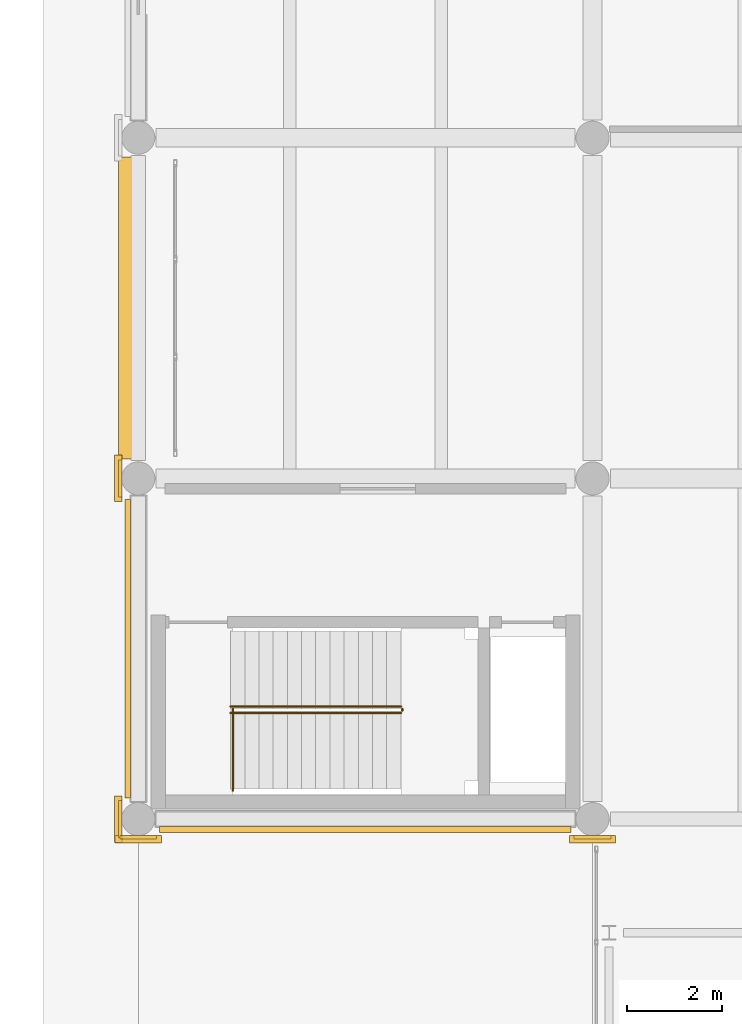
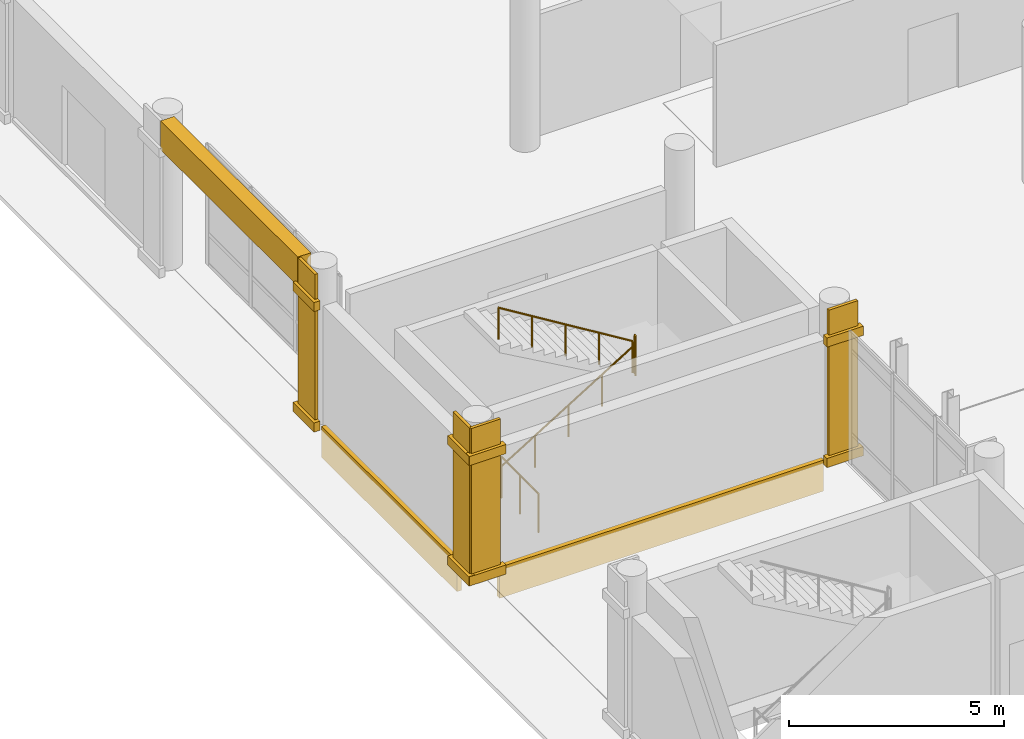
# One storey, part 173 of 196: 15 coverings, 4 railings.
"""IFC4 building model written with IfcOpenShell, lengths in metres."""

from ifc_helpers import new_model, si_unit, direction, frame, origin, origin_2d, place, context, subcontext, project, spatial, rectangle, circle, extrude, material, layer, layer_set, type_object, element, save


model = new_model("IFC4")

# Units and contexts
model_context = context("Model", 3, precision=1e-05, world=origin(), true_north=direction((0.0, 1.0)))
body_context = subcontext(model_context, "Body", "Model", "MODEL_VIEW")
ifc_project = project(units=[si_unit("LENGTHUNIT", "METRE"), si_unit("AREAUNIT", "SQUARE_METRE"), si_unit("VOLUMEUNIT", "CUBIC_METRE"), si_unit("PLANEANGLEUNIT", "RADIAN"), si_unit("MASSUNIT", "GRAM", prefix="KILO")], contexts=[model_context])

# Site, building, storey
site_placement = place(None, origin())
site = spatial("IfcSite", under=ifc_project, at=site_placement, CompositionType="ELEMENT")
building_placement = place(site_placement, origin())
building = spatial("IfcBuilding", under=site, at=building_placement, Name="Asteropetra Specialist Clinic", CompositionType="ELEMENT")
storey_placement = place(building_placement, origin())
storey = spatial("IfcBuildingStorey", under=building, at=storey_placement, Name="L00", CompositionType="ELEMENT", Elevation=0.0)

# Coverings
ifc_material_1 = material(Name="Pentelic marble ashlar", Category="masonry")
ifc_layer = layer(ifc_material_1, 0.159912109375)
ifc_layer_set = layer_set([ifc_layer], Name="Pentelic marble ashlar")
covering_type = type_object("IfcCoveringType", Name="CRN-ENTAB-600", PredefinedType="MOLDING", material=ifc_layer_set)
covering_1_placement = place(storey_placement, frame((-0.239990234375, 44.39990234375, 3.58984375), z_axis=(0.0, 0.0, 1.0), x_axis=(1.0, 0.0, 0.0)))
element("IfcCovering", 1, at=covering_1_placement, inside=storey, type_object=covering_type, Name="Stoa Classical Entablature SE-0031", PredefinedType="MOLDING", context=body_context, shape_type="SweptSolid", body=[
    extrude(rectangle(XDim=0.360107421875, YDim=6.3798828125, at=origin_2d()), origin(), (0.0, 0.0, 1.0), 0.820068359375),
])
covering_2_placement = place(storey_placement, frame((0.0, 33.218017578125, 0.02001953125), z_axis=(0.0, 0.0, 1.0), x_axis=(1.0, 0.0, 0.0)))
element("IfcCovering", 2, at=covering_2_placement, inside=storey, type_object=covering_type, Name="Neoclassical Pilaster Facing CM-0745", PredefinedType="MOLDING", context=body_context, shape_type="SweptSolid", body=[
    extrude(rectangle(XDim=0.780029296875, YDim=0.080078125, at=origin_2d()), origin(), (0.0, 0.0, 1.0), 4.3798828125),
])
for number, where, z_axis, x_axis, name in (
    (3, (0.0, 33.177978515625, 0.009765625), (0.0, 0.0, 1.0), (1.0, 0.0, 0.0), "Doric Base CC-0746"),
    (4, (0.0, 33.177978515625, 3.43017578125), (0.0, 0.0, 1.0), (1.0, 0.0, 0.0), "Doric Capital CC-0747"),
):
    element("IfcCovering", number, at=place(storey_placement, frame(where, z_axis=z_axis, x_axis=x_axis)), inside=storey, type_object=covering_type, Name=name, PredefinedType="MOLDING", context=body_context, shape_type="SweptSolid", body=[
        extrude(rectangle(XDim=0.97998046875, YDim=0.159912109375, at=origin_2d()), origin(), (0.0, 0.0, 1.0), 0.260009765625),
    ])
covering_3_placement = place(storey_placement, frame((-0.382080078125, 33.60009765625, 0.02001953125), z_axis=(0.0, 0.0, 1.0), x_axis=(1.0, 0.0, 0.0)))
element("IfcCovering", 5, at=covering_3_placement, inside=storey, type_object=covering_type, Name="Neoclassical Pilaster Facing CM-0748", PredefinedType="MOLDING", context=body_context, shape_type="SweptSolid", body=[
    extrude(rectangle(XDim=0.080078125, YDim=0.780029296875, at=origin_2d()), origin(), (0.0, 0.0, 1.0), 4.3798828125),
])
for number, where, z_axis, x_axis, name in (
    (6, (-0.422119140625, 33.60009765625, 0.009765625), (0.0, 0.0, 1.0), (1.0, 0.0, 0.0), "Doric Base CC-0749"),
    (7, (-0.422119140625, 33.60009765625, 3.43017578125), (0.0, 0.0, 1.0), (1.0, 0.0, 0.0), "Doric Capital CC-0750"),
):
    element("IfcCovering", number, at=place(storey_placement, frame(where, z_axis=z_axis, x_axis=x_axis)), inside=storey, type_object=covering_type, Name=name, PredefinedType="MOLDING", context=body_context, shape_type="SweptSolid", body=[
        extrude(rectangle(XDim=0.159912109375, YDim=0.97998046875, at=origin_2d()), origin(), (0.0, 0.0, 1.0), 0.260009765625),
    ])
covering_4_placement = place(storey_placement, frame((-0.382080078125, 40.800048828125, 0.02001953125), z_axis=(0.0, 0.0, 1.0), x_axis=(1.0, 0.0, 0.0)))
element("IfcCovering", 8, at=covering_4_placement, inside=storey, type_object=covering_type, Name="Neoclassical Pilaster Facing CM-0751", PredefinedType="MOLDING", context=body_context, shape_type="SweptSolid", body=[
    extrude(rectangle(XDim=0.080078125, YDim=0.780029296875, at=origin_2d()), origin(), (0.0, 0.0, 1.0), 4.3798828125),
])
for number, where, z_axis, x_axis, name in (
    (9, (-0.422119140625, 40.800048828125, 0.009765625), (0.0, 0.0, 1.0), (1.0, 0.0, 0.0), "Doric Base CC-0752"),
    (10, (-0.422119140625, 40.800048828125, 3.43017578125), (0.0, 0.0, 1.0), (1.0, 0.0, 0.0), "Doric Capital CC-0753"),
):
    element("IfcCovering", number, at=place(storey_placement, frame(where, z_axis=z_axis, x_axis=x_axis)), inside=storey, type_object=covering_type, Name=name, PredefinedType="MOLDING", context=body_context, shape_type="SweptSolid", body=[
        extrude(rectangle(XDim=0.159912109375, YDim=0.97998046875, at=origin_2d()), origin(), (0.0, 0.0, 1.0), 0.260009765625),
    ])
covering_5_placement = place(storey_placement, frame((9.60009765625, 33.218017578125, 0.02001953125), z_axis=(0.0, 0.0, 1.0), x_axis=(1.0, 0.0, 0.0)))
element("IfcCovering", 11, at=covering_5_placement, inside=storey, type_object=covering_type, Name="Neoclassical Pilaster Facing CM-0766", PredefinedType="MOLDING", context=body_context, shape_type="SweptSolid", body=[
    extrude(rectangle(XDim=0.780029296875, YDim=0.080078125, at=origin_2d()), origin(), (0.0, 0.0, 1.0), 4.3798828125),
])
for number, where, z_axis, x_axis, name in (
    (12, (9.60009765625, 33.177978515625, 0.009765625), (0.0, 0.0, 1.0), (1.0, 0.0, 0.0), "Doric Base CC-0767"),
    (13, (9.60009765625, 33.177978515625, 3.43017578125), (0.0, 0.0, 1.0), (1.0, 0.0, 0.0), "Doric Capital CC-0768"),
):
    element("IfcCovering", number, at=place(storey_placement, frame(where, z_axis=z_axis, x_axis=x_axis)), inside=storey, type_object=covering_type, Name=name, PredefinedType="MOLDING", context=body_context, shape_type="SweptSolid", body=[
        extrude(rectangle(XDim=0.97998046875, YDim=0.159912109375, at=origin_2d()), origin(), (0.0, 0.0, 1.0), 0.260009765625),
    ])
covering_6_placement = place(storey_placement, frame((4.800048828125, 33.3798828125, -0.800048828125), z_axis=(0.0, 0.0, 1.0), x_axis=(1.0, 0.0, 0.0)))
element("IfcCovering", 14, at=covering_6_placement, inside=storey, type_object=covering_type, Name="Chevron Spandrel Band CV-1841", PredefinedType="MOLDING", context=body_context, shape_type="SweptSolid", body=[
    extrude(rectangle(XDim=8.699951171875, YDim=0.1201171875, at=origin_2d()), origin(), (0.0, 0.0, 1.0), 0.8798828125),
])
covering_7_placement = place(storey_placement, frame((-0.219970703125, 37.199951171875, -0.800048828125), z_axis=(0.0, 0.0, 1.0), x_axis=(1.0, 0.0, 0.0)))
element("IfcCovering", 15, at=covering_7_placement, inside=storey, type_object=covering_type, Name="Chevron Spandrel Band CV-1843", PredefinedType="MOLDING", context=body_context, shape_type="SweptSolid", body=[
    extrude(rectangle(XDim=0.1201171875, YDim=6.300048828125, at=origin_2d()), origin(), (0.0, 0.0, 1.0), 0.8798828125),
])

# Railings
ifc_material_2 = material(Name="Steel S355 and laminated glass guard", Category="steel")
railing_type_1 = type_object("IfcRailingType", Name="GRD-INT-1120", PredefinedType="GUARDRAIL", material=ifc_material_2)
railing_1_placement = place(storey_placement, frame((2.0, 34.199951171875, 0.0)))
element("IfcRailing", 16, at=railing_1_placement, inside=storey, type_object=railing_type_1, Name="Stair Well Guard ST04-B1", PredefinedType="GUARDRAIL", context=body_context, shape_type="SweptSolid", body=[
    extrude(circle(Radius=0.02392578125, at=origin_2d()), frame((0.0, 0.0, 1.09619140625), z_axis=(0.0, 1.0, 0.0), x_axis=(-1.0, 0.0, 0.0)), (0.0, 0.0, 1.0), 1.72998046875),
    extrude(circle(Radius=0.02099609375, at=origin_2d()), origin(), (0.0, 0.0, 1.0), 1.072021484375),
    extrude(circle(Radius=0.02099609375, at=origin_2d()), frame((0.0, 0.864990234375, 0.0)), (0.0, 0.0, 1.0), 1.072021484375),
    extrude(circle(Radius=0.02099609375, at=origin_2d()), frame((0.0, 1.72998046875, 0.0)), (0.0, 0.0, 1.0), 1.072021484375),
])
railing_2_placement = place(storey_placement, frame((5.580078125, 35.889892578125, 2.2099609375)))
element("IfcRailing", 17, at=railing_2_placement, inside=storey, type_object=railing_type_1, Name="Landing Slot Guard ST04-L00", PredefinedType="GUARDRAIL", context=body_context, shape_type="SweptSolid", body=[
    extrude(circle(Radius=0.02392578125, at=origin_2d()), frame((0.0, 0.0, 1.09619140625), z_axis=(0.0, 1.0, 0.0), x_axis=(-1.0, 0.0, 0.0)), (0.0, 0.0, 1.0), 0.0400390625),
    extrude(circle(Radius=0.02099609375, at=origin_2d()), origin(), (0.0, 0.0, 1.0), 1.072021484375),
    extrude(circle(Radius=0.02099609375, at=origin_2d()), frame((0.0, 0.0400390625, 0.0)), (0.0, 0.0, 1.0), 1.072021484375),
])
ifc_material_3 = material(Name="Brushed stainless steel handrail", Category="steel")
railing_type_2 = type_object("IfcRailingType", Name="HRL-STAIR-920", PredefinedType="HANDRAIL", material=ifc_material_3)
railing_3_placement = place(storey_placement, frame((1.949951171875, 35.840087890625, 0.0)))
element("IfcRailing", 18, at=railing_3_placement, inside=storey, type_object=railing_type_2, Name="Stair Handrail ST04-L00 F1", PredefinedType="HANDRAIL", context=body_context, shape_type="SweptSolid", body=[
    extrude(circle(Radius=0.02392578125, at=origin_2d()), frame((0.0, 0.0, 0.89599609375), z_axis=(0.85223722916, 0.0, 0.523155526811), x_axis=(0.0, 1.0, 0.0)), (0.0, 0.0, 1.0), 4.224365234375),
    extrude(circle(Radius=0.02099609375, at=origin_2d()), origin(), (0.0, 0.0, 1.0), 0.871826171875),
    extrude(circle(Radius=0.02099609375, at=origin_2d()), frame((0.89990234375, 0.0, 0.552490234375)), (0.0, 0.0, 1.0), 0.871826171875),
    extrude(circle(Radius=0.02099609375, at=origin_2d()), frame((1.800048828125, 0.0, 1.10498046875)), (0.0, 0.0, 1.0), 0.871826171875),
    extrude(circle(Radius=0.02099609375, at=origin_2d()), frame((2.7001953125, 0.0, 1.657470703125)), (0.0, 0.0, 1.0), 0.871826171875),
    extrude(circle(Radius=0.02099609375, at=origin_2d()), frame((3.60009765625, 0.0, 2.2099609375)), (0.0, 0.0, 1.0), 0.871826171875),
])
railing_4_placement = place(storey_placement, frame((5.550048828125, 35.97998046875, 2.2099609375)))
element("IfcRailing", 19, at=railing_4_placement, inside=storey, type_object=railing_type_2, Name="Stair Handrail ST04-L00 F2", PredefinedType="HANDRAIL", context=body_context, shape_type="SweptSolid", body=[
    extrude(circle(Radius=0.02392578125, at=origin_2d()), frame((0.0, 0.0, 0.89599609375), z_axis=(-0.85223722916, 0.0, 0.523155526811), x_axis=(0.0, -1.0, 0.0)), (0.0, 0.0, 1.0), 4.224365234375),
    extrude(circle(Radius=0.02099609375, at=origin_2d()), origin(), (0.0, 0.0, 1.0), 0.871826171875),
    extrude(circle(Radius=0.02099609375, at=origin_2d()), frame((-0.89990234375, 0.0, 0.552490234375)), (0.0, 0.0, 1.0), 0.871826171875),
    extrude(circle(Radius=0.02099609375, at=origin_2d()), frame((-1.800048828125, 0.0, 1.10498046875)), (0.0, 0.0, 1.0), 0.871826171875),
    extrude(circle(Radius=0.02099609375, at=origin_2d()), frame((-2.7001953125, 0.0, 1.657470703125)), (0.0, 0.0, 1.0), 0.871826171875),
    extrude(circle(Radius=0.02099609375, at=origin_2d()), frame((-3.60009765625, 0.0, 2.2099609375)), (0.0, 0.0, 1.0), 0.871826171875),
])

save(model, "model.ifc")
